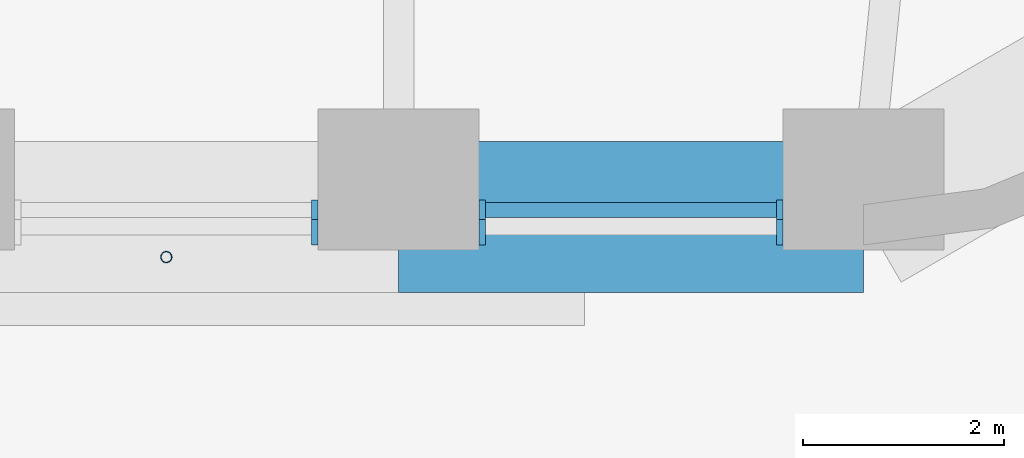
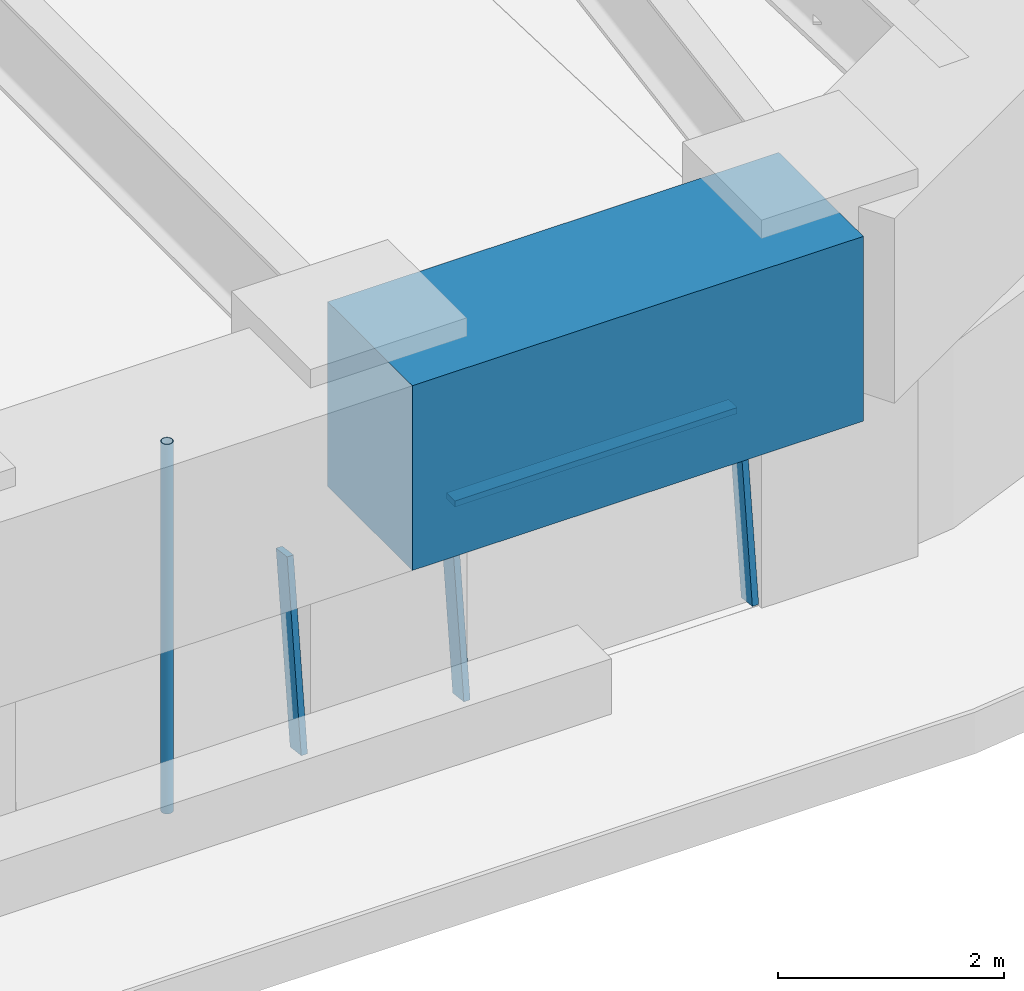
# One storey, part 4 of 20: 5 members, 1 beam, 2 elements without a shape of their own.
"""IFC4 building model written with IfcOpenShell, lengths in metres."""

from ifc_helpers import new_model, si_unit, direction, frame, origin, origin_2d, place, context, subcontext, project, spatial, rectangle, hollow_circle, extrude, material, material_profile, profile_set, type_object, element, aggregate, save


model = new_model("IFC4")

# Units and contexts
model_context = context("Model", 3, precision=1e-05, world=origin(), true_north=direction((0.0, 1.0)))
body_context = subcontext(model_context, "Body", "Model", "MODEL_VIEW")
ifc_project = project(units=[si_unit("LENGTHUNIT", "METRE"), si_unit("AREAUNIT", "SQUARE_METRE"), si_unit("VOLUMEUNIT", "CUBIC_METRE"), si_unit("PLANEANGLEUNIT", "RADIAN"), si_unit("MASSUNIT", "GRAM", prefix="KILO")], contexts=[model_context])

# Site, building, storey
site_placement = place(None, origin())
site = spatial("IfcSite", under=ifc_project, at=site_placement, CompositionType="ELEMENT")
building_placement = place(site_placement, origin())
building = spatial("IfcBuilding", under=site, at=building_placement, Name="Tarfa Lantern Tower", CompositionType="ELEMENT")
storey_placement = place(building_placement, frame((0.0, 0.0, 223.89990234375)))
storey = spatial("IfcBuildingStorey", under=building, at=storey_placement, Name="L50", CompositionType="ELEMENT", Elevation=223.89990234375)

# Curtain wall, member
ifc_material_1 = material(Name="Aluminium framed curtain wall", Category="aluminium")
curtain_wall_type = type_object("IfcCurtainWallType", Name="CW3 CANTED GLAZING HIGH ZONE 2000", PredefinedType="USERDEFINED", material=ifc_material_1)
curtain_wall_1_placement = place(storey_placement, origin())
curtain_wall_1 = element("IfcCurtainWall", 1, at=curtain_wall_1_placement, inside=storey, type_object=curtain_wall_type, Name="CW3 S L50", ObjectType="CURTAIN WALL", PredefinedType="USERDEFINED")
ifc_material_2 = material(Name="Aluminium mullion", Category="aluminium")
ifc_material_profile_1 = material_profile(ifc_material_2, rectangle(XDim=0.06494140625, YDim=0.199951171875, at=origin_2d()), Name="AL MULLION 65x200")
ifc_profile_set_1 = profile_set([ifc_material_profile_1], Name="Aluminium mullion")
member_type_1 = type_object("IfcMemberType", Name="CWM1 MULLION 65x200", PredefinedType="MULLION", material=ifc_profile_set_1)
member_1_placement = place(storey_placement, frame((8.405029296875, -28.89990234375, 0.0), z_axis=(0.0, 0.124034734589, 0.992277876714), x_axis=(-1.0, 0.0, 0.0)))
member_1 = element("IfcMember", 2, at=member_1_placement, type_object=member_type_1, Name="CW3 mullion 2", PredefinedType="MULLION", context=body_context, shape_type="SweptSolid", body=[
    extrude(rectangle(XDim=0.06494140625, YDim=0.199951171875, at=origin_2d()), origin(), (0.0, 0.0, 1.0), 2.015625),
])
aggregate(curtain_wall_1, [member_1])

# Curtain wall, members
curtain_wall_2_placement = place(storey_placement, origin())
curtain_wall_2 = element("IfcCurtainWall", 3, at=curtain_wall_2_placement, inside=storey, type_object=curtain_wall_type, Name="CW3 S L50", ObjectType="CURTAIN WALL", PredefinedType="USERDEFINED")
member_2_placement = place(storey_placement, frame((10.070068359375, -28.89990234375, 0.0), z_axis=(0.0, 0.124034734589, 0.992277876714), x_axis=(-1.0, 0.0, 0.0)))
member_2 = element("IfcMember", 4, at=member_2_placement, type_object=member_type_1, Name="CW3 mullion 1", PredefinedType="MULLION", context=body_context, shape_type="SweptSolid", body=[
    extrude(rectangle(XDim=0.06494140625, YDim=0.199951171875, at=origin_2d()), origin(), (0.0, 0.0, 1.0), 2.015625),
])
member_3_placement = place(storey_placement, frame((13.02392578125, -28.89990234375, 0.0), z_axis=(0.0, 0.124034734589, 0.992277876714), x_axis=(-1.0, 0.0, 0.0)))
member_3 = element("IfcMember", 5, at=member_3_placement, type_object=member_type_1, Name="CW3 mullion 2", PredefinedType="MULLION", context=body_context, shape_type="SweptSolid", body=[
    extrude(rectangle(XDim=0.06494140625, YDim=0.199951171875, at=origin_2d()), origin(), (0.0, 0.0, 1.0), 2.015625),
])
ifc_material_3 = material(Name="Aluminium transom", Category="aluminium")
ifc_material_profile_2 = material_profile(ifc_material_3, rectangle(XDim=0.14990234375, YDim=0.06494140625, at=origin_2d()), Name="AL TRANSOM 150x65")
ifc_profile_set_2 = profile_set([ifc_material_profile_2], Name="Aluminium transom")
member_type_2 = type_object("IfcMemberType", Name="CWT1 TRANSOM 150x65", PredefinedType="USERDEFINED", material=ifc_profile_set_2)
member_4_placement = place(storey_placement, frame((10.1025390625, -28.654052734375, 1.967529296875), z_axis=(1.0, 0.0, 0.0), x_axis=(0.0, 1.0, 0.0)))
member_4 = element("IfcMember", 6, at=member_4_placement, type_object=member_type_2, Name="CW3 transom 1.2", ObjectType="TRANSOM", PredefinedType="USERDEFINED", context=body_context, shape_type="SweptSolid", body=[
    extrude(rectangle(XDim=0.14990234375, YDim=0.06494140625, at=origin_2d()), origin(), (0.0, 0.0, 1.0), 2.888916015625),
])
aggregate(curtain_wall_2, [member_2, member_3, member_4])

# Beam
ifc_material_4 = material(Name="Concrete C80/95", Category="concrete")
ifc_material_profile_3 = material_profile(ifc_material_4, rectangle(XDim=1.5, YDim=2.0, at=origin_2d()), Name="RC 1500x2000")
ifc_profile_set_3 = profile_set([ifc_material_profile_3], Name="Concrete C80/95")
beam_type = type_object("IfcBeamType", Name="RB3 RC 1500x2000", PredefinedType="BEAM", material=ifc_profile_set_3)
beam_placement = place(storey_placement, frame((9.237548828125, -28.719970703125, 3.0), z_axis=(1.0, 0.0, 0.0), x_axis=(0.0, 1.0, 0.0)))
element("IfcBeam", 7, at=beam_placement, inside=storey, type_object=beam_type, Name="Edge beam S5", PredefinedType="BEAM", context=body_context, shape_type="SweptSolid", body=[
    extrude(rectangle(XDim=1.5, YDim=2.0, at=origin_2d()), origin(), (0.0, 0.0, 1.0), 4.618896484375),
])

# Member
ifc_material_5 = material(Name="Steel S355", Category="steel")
ifc_material_profile_4 = material_profile(ifc_material_5, hollow_circle(Radius=0.05712890625, WallThickness=0.00634765625, at=origin_2d()), Name="CHS114.3x6.3")
ifc_profile_set_4 = profile_set([ifc_material_profile_4], Name="Steel S355")
member_type_3 = type_object("IfcMemberType", Name="TR1 GREEN WALL TRELLIS CHS114.3x6.3", PredefinedType="USERDEFINED", material=ifc_profile_set_4)
member_5_placement = place(storey_placement, frame((6.92822265625, -29.1201171875, 0.0), z_axis=(0.0, 0.0, 1.0), x_axis=(1.0, 0.0, 0.0)))
element("IfcMember", 8, at=member_5_placement, inside=storey, type_object=member_type_3, Name="Trellis post S 2", ObjectType="TRELLIS", PredefinedType="USERDEFINED", context=body_context, shape_type="SweptSolid", body=[
    extrude(hollow_circle(Radius=0.05712890625, WallThickness=0.00634765625, at=origin_2d()), origin(), (0.0, 0.0, 1.0), 4.0),
])

save(model, "model.ifc")
